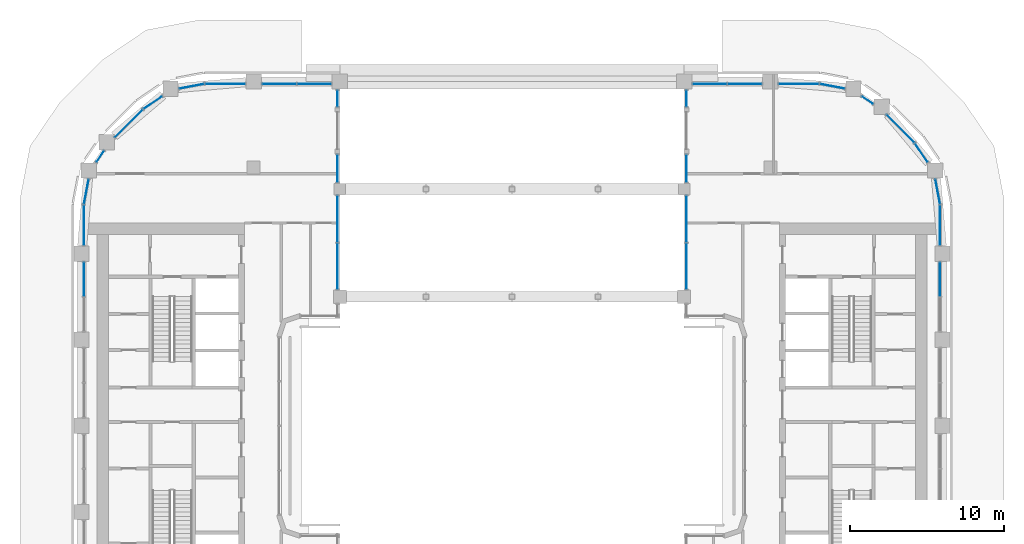
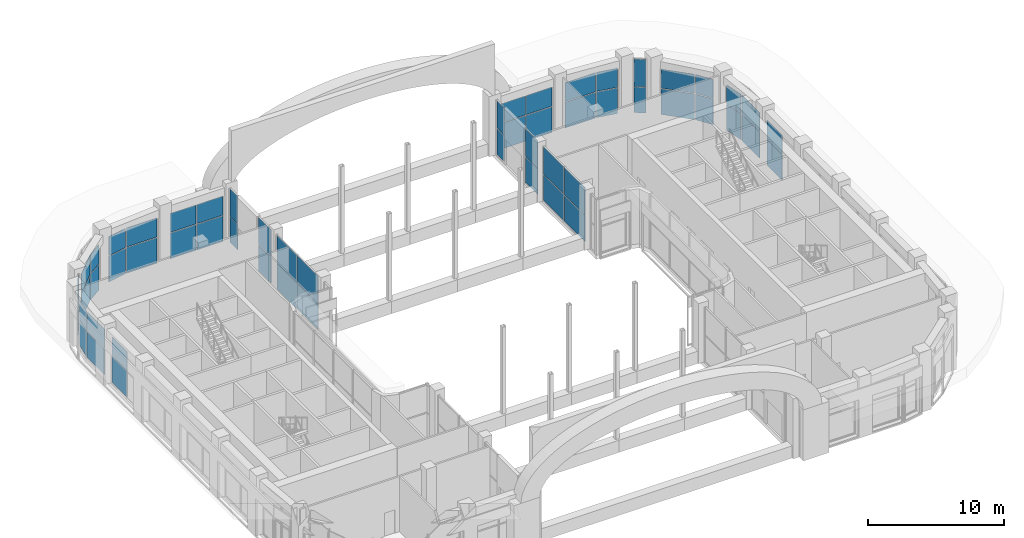
# One storey, part 14 of 28: 56 plates, 24 elements without a shape of their own.
"""IFC4 building model written with IfcOpenShell, lengths in metres."""

from ifc_helpers import new_model, si_unit, direction, frame, origin, origin_2d, place, context, subcontext, project, spatial, rectangle, extrude, material, layer, layer_set, type_object, element, aggregate, save


model = new_model("IFC4")

# Units and contexts
model_context = context("Model", 3, precision=1e-05, world=origin(), true_north=direction((0.0, 1.0)))
body_context = subcontext(model_context, "Body", "Model", "MODEL_VIEW")
ifc_project = project(units=[si_unit("LENGTHUNIT", "METRE"), si_unit("AREAUNIT", "SQUARE_METRE"), si_unit("VOLUMEUNIT", "CUBIC_METRE"), si_unit("PLANEANGLEUNIT", "RADIAN"), si_unit("MASSUNIT", "GRAM", prefix="KILO")], contexts=[model_context])

# Site, building, storey
site_placement = place(None, origin())
site = spatial("IfcSite", under=ifc_project, at=site_placement, CompositionType="ELEMENT")
building_placement = place(site_placement, origin())
building = spatial("IfcBuilding", under=site, at=building_placement, Name="Kiln Ring Residences", CompositionType="ELEMENT")
storey_placement = place(building_placement, frame((0.0, 0.0, 178.10009765625)))
storey = spatial("IfcBuildingStorey", under=building, at=storey_placement, Name="L46", CompositionType="ELEMENT", Elevation=178.10009765625)

# Curtain wall, plates
ifc_material_1 = material(Name="Aluminium and glass", Category="aluminium")
ifc_layer_1 = layer(ifc_material_1, 0.199951171875)
ifc_layer_set_1 = layer_set([ifc_layer_1], Name="CW1 CURTAIN WALL")
curtain_wall_type = type_object("IfcCurtainWallType", Name="CW1 CURTAIN WALL", PredefinedType="NOTDEFINED", material=ifc_layer_set_1)
placement = place(storey_placement, origin())
curtain_wall_1 = element("IfcCurtainWall", 1, at=placement, inside=storey, type_object=curtain_wall_type, Name="Curtain wall CW1 L46", PredefinedType="NOTDEFINED")
ifc_material_2 = material(Name="Glass, low-e laminated", Category="glass")
ifc_layer_2 = layer(ifc_material_2, 0.028076171875)
ifc_layer_set_2 = layer_set([ifc_layer_2], Name="CW1 PANEL 28")
plate_type = type_object("IfcPlateType", Name="CW1 PANEL 28", PredefinedType="CURTAIN_PANEL", material=ifc_layer_set_2)
plate_1_placement = place(storey_placement, frame((-11.35009765625, 10.389892578125, 0.059814453125), z_axis=(0.0, 0.0, 1.0), x_axis=(0.0, 1.0, 0.0)))
plate_1 = element("IfcPlate", 2, at=plate_1_placement, type_object=plate_type, Name="CW1 panel 1.1", PredefinedType="CURTAIN_PANEL", context=body_context, shape_type="SweptSolid", body=[
    extrude(rectangle(XDim=3.010009765625, YDim=0.028076171875, at=origin_2d()), origin(), (0.0, 0.0, 1.0), 2.31005859375),
])
plate_2_placement = place(storey_placement, frame((-11.35009765625, 10.389892578125, 2.429931640625), z_axis=(0.0, 0.0, 1.0), x_axis=(0.0, 1.0, 0.0)))
plate_2 = element("IfcPlate", 3, at=plate_2_placement, type_object=plate_type, Name="CW1 panel 1.2", PredefinedType="CURTAIN_PANEL", context=body_context, shape_type="SweptSolid", body=[
    extrude(rectangle(XDim=3.010009765625, YDim=0.028076171875, at=origin_2d()), origin(), (0.0, 0.0, 1.0), 2.4599609375),
])
plate_3_placement = place(storey_placement, frame((-11.35009765625, 13.4599609375, 0.059814453125), z_axis=(0.0, 0.0, 1.0), x_axis=(0.0, 1.0, 0.0)))
plate_3 = element("IfcPlate", 4, at=plate_3_placement, type_object=plate_type, Name="CW1 panel 2.1", PredefinedType="CURTAIN_PANEL", context=body_context, shape_type="SweptSolid", body=[
    extrude(rectangle(XDim=3.010009765625, YDim=0.028076171875, at=origin_2d()), origin(), (0.0, 0.0, 1.0), 2.31005859375),
])
plate_4_placement = place(storey_placement, frame((-11.35009765625, 13.4599609375, 2.429931640625), z_axis=(0.0, 0.0, 1.0), x_axis=(0.0, 1.0, 0.0)))
plate_4 = element("IfcPlate", 5, at=plate_4_placement, type_object=plate_type, Name="CW1 panel 2.2", PredefinedType="CURTAIN_PANEL", context=body_context, shape_type="SweptSolid", body=[
    extrude(rectangle(XDim=3.010009765625, YDim=0.028076171875, at=origin_2d()), origin(), (0.0, 0.0, 1.0), 2.4599609375),
])
aggregate(curtain_wall_1, [plate_1, plate_2, plate_3, plate_4])

curtain_wall_2 = element("IfcCurtainWall", 6, at=placement, inside=storey, type_object=curtain_wall_type, Name="Curtain wall CW1 L46", PredefinedType="NOTDEFINED")
plate_5_placement = place(storey_placement, frame((-11.35009765625, 16.737548828125, 0.059814453125), z_axis=(0.0, 0.0, 1.0), x_axis=(0.0, 1.0, 0.0)))
plate_5 = element("IfcPlate", 7, at=plate_5_placement, type_object=plate_type, Name="CW1 panel 1.1", PredefinedType="CURTAIN_PANEL", context=body_context, shape_type="SweptSolid", body=[
    extrude(rectangle(XDim=1.804931640625, YDim=0.028076171875, at=origin_2d()), origin(), (0.0, 0.0, 1.0), 2.31005859375),
])
plate_6_placement = place(storey_placement, frame((-11.35009765625, 16.737548828125, 2.429931640625), z_axis=(0.0, 0.0, 1.0), x_axis=(0.0, 1.0, 0.0)))
plate_6 = element("IfcPlate", 8, at=plate_6_placement, type_object=plate_type, Name="CW1 panel 1.2", PredefinedType="CURTAIN_PANEL", context=body_context, shape_type="SweptSolid", body=[
    extrude(rectangle(XDim=1.804931640625, YDim=0.028076171875, at=origin_2d()), origin(), (0.0, 0.0, 1.0), 2.4599609375),
])
aggregate(curtain_wall_2, [plate_5, plate_6])

curtain_wall_3 = element("IfcCurtainWall", 9, at=placement, inside=storey, type_object=curtain_wall_type, Name="Curtain wall CW1 L46", PredefinedType="NOTDEFINED")
plate_7_placement = place(storey_placement, frame((-11.35009765625, 21.300048828125, 0.059814453125), z_axis=(0.0, 0.0, 1.0), x_axis=(0.0, 1.0, 0.0)))
plate_7 = element("IfcPlate", 10, at=plate_7_placement, type_object=plate_type, Name="CW1 panel 1.1", PredefinedType="CURTAIN_PANEL", context=body_context, shape_type="SweptSolid", body=[
    extrude(rectangle(XDim=1.080078125, YDim=0.028076171875, at=origin_2d()), origin(), (0.0, 0.0, 1.0), 2.31005859375),
])
plate_8_placement = place(storey_placement, frame((-11.35009765625, 21.300048828125, 2.429931640625), z_axis=(0.0, 0.0, 1.0), x_axis=(0.0, 1.0, 0.0)))
plate_8 = element("IfcPlate", 11, at=plate_8_placement, type_object=plate_type, Name="CW1 panel 1.2", PredefinedType="CURTAIN_PANEL", context=body_context, shape_type="SweptSolid", body=[
    extrude(rectangle(XDim=1.080078125, YDim=0.028076171875, at=origin_2d()), origin(), (0.0, 0.0, 1.0), 2.4599609375),
])
aggregate(curtain_wall_3, [plate_7, plate_8])

curtain_wall_4 = element("IfcCurtainWall", 12, at=placement, inside=storey, type_object=curtain_wall_type, Name="Curtain wall CW1 L46", PredefinedType="NOTDEFINED")
plate_9_placement = place(storey_placement, frame((-12.864990234375, 22.25, 0.059814453125), z_axis=(0.0, 0.0, 1.0), x_axis=(-1.0, 0.0, 0.0)))
plate_9 = element("IfcPlate", 13, at=plate_9_placement, type_object=plate_type, Name="CW1 panel 1.1", PredefinedType="CURTAIN_PANEL", context=body_context, shape_type="SweptSolid", body=[
    extrude(rectangle(XDim=2.2099609375, YDim=0.028076171875, at=origin_2d()), origin(), (0.0, 0.0, 1.0), 2.31005859375),
])
plate_10_placement = place(storey_placement, frame((-12.864990234375, 22.25, 2.429931640625), z_axis=(0.0, 0.0, 1.0), x_axis=(-1.0, 0.0, 0.0)))
plate_10 = element("IfcPlate", 14, at=plate_10_placement, type_object=plate_type, Name="CW1 panel 1.2", PredefinedType="CURTAIN_PANEL", context=body_context, shape_type="SweptSolid", body=[
    extrude(rectangle(XDim=2.2099609375, YDim=0.028076171875, at=origin_2d()), origin(), (0.0, 0.0, 1.0), 1.7099609375),
])
plate_11_placement = place(storey_placement, frame((-15.135009765625, 22.25, 0.059814453125), z_axis=(0.0, 0.0, 1.0), x_axis=(-1.0, 0.0, 0.0)))
plate_11 = element("IfcPlate", 15, at=plate_11_placement, type_object=plate_type, Name="CW1 panel 2.1", PredefinedType="CURTAIN_PANEL", context=body_context, shape_type="SweptSolid", body=[
    extrude(rectangle(XDim=2.2099609375, YDim=0.028076171875, at=origin_2d()), origin(), (0.0, 0.0, 1.0), 2.31005859375),
])
plate_12_placement = place(storey_placement, frame((-15.135009765625, 22.25, 2.429931640625), z_axis=(0.0, 0.0, 1.0), x_axis=(-1.0, 0.0, 0.0)))
plate_12 = element("IfcPlate", 16, at=plate_12_placement, type_object=plate_type, Name="CW1 panel 2.2", PredefinedType="CURTAIN_PANEL", context=body_context, shape_type="SweptSolid", body=[
    extrude(rectangle(XDim=2.2099609375, YDim=0.028076171875, at=origin_2d()), origin(), (0.0, 0.0, 1.0), 1.7099609375),
])
aggregate(curtain_wall_4, [plate_9, plate_10, plate_11, plate_12])

curtain_wall_5 = element("IfcCurtainWall", 17, at=placement, inside=storey, type_object=curtain_wall_type, Name="Curtain wall CW1 L46", PredefinedType="NOTDEFINED")
plate_13_placement = place(storey_placement, frame((-18.64990234375, 22.25, 0.059814453125), z_axis=(0.0, 0.0, 1.0), x_axis=(-1.0, 0.0, 0.0)))
plate_13 = element("IfcPlate", 18, at=plate_13_placement, type_object=plate_type, Name="CW1 panel 1.1", PredefinedType="CURTAIN_PANEL", context=body_context, shape_type="SweptSolid", body=[
    extrude(rectangle(XDim=2.580078125, YDim=0.028076171875, at=origin_2d()), origin(), (0.0, 0.0, 1.0), 2.31005859375),
])
plate_14_placement = place(storey_placement, frame((-18.64990234375, 22.25, 2.429931640625), z_axis=(0.0, 0.0, 1.0), x_axis=(-1.0, 0.0, 0.0)))
plate_14 = element("IfcPlate", 19, at=plate_14_placement, type_object=plate_type, Name="CW1 panel 1.2", PredefinedType="CURTAIN_PANEL", context=body_context, shape_type="SweptSolid", body=[
    extrude(rectangle(XDim=2.580078125, YDim=0.028076171875, at=origin_2d()), origin(), (0.0, 0.0, 1.0), 1.7099609375),
])
aggregate(curtain_wall_5, [plate_13, plate_14])

curtain_wall_6 = element("IfcCurtainWall", 20, at=placement, inside=storey, type_object=curtain_wall_type, Name="Curtain wall CW1 L46", PredefinedType="NOTDEFINED")
plate_15_placement = place(storey_placement, frame((-20.83447265625, 22.088134765625, 0.059814453125), z_axis=(0.0, 0.0, 1.0), x_axis=(-0.98229025781, -0.187365550227, 0.0)))
plate_15 = element("IfcPlate", 21, at=plate_15_placement, type_object=plate_type, Name="CW1 panel 1.1", PredefinedType="CURTAIN_PANEL", context=body_context, shape_type="SweptSolid", body=[
    extrude(rectangle(XDim=1.63623046875, YDim=0.028076171875, at=origin_2d()), origin(), (0.0, 0.0, 1.0), 2.31005859375),
])
plate_16_placement = place(storey_placement, frame((-20.83447265625, 22.088134765625, 2.429931640625), z_axis=(0.0, 0.0, 1.0), x_axis=(-0.98229025781, -0.187365550227, 0.0)))
plate_16 = element("IfcPlate", 22, at=plate_16_placement, type_object=plate_type, Name="CW1 panel 1.2", PredefinedType="CURTAIN_PANEL", context=body_context, shape_type="SweptSolid", body=[
    extrude(rectangle(XDim=1.63623046875, YDim=0.028076171875, at=origin_2d()), origin(), (0.0, 0.0, 1.0), 1.7099609375),
])
aggregate(curtain_wall_6, [plate_15, plate_16])

curtain_wall_7 = element("IfcCurtainWall", 23, at=placement, inside=storey, type_object=curtain_wall_type, Name="Curtain wall CW1 L46", PredefinedType="NOTDEFINED")
plate_17_placement = place(storey_placement, frame((-23.36083984375, 21.02197265625, 0.059814453125), z_axis=(0.0, 0.0, 1.0), x_axis=(-0.827071553399, -0.562096651438, 0.0)))
plate_17 = element("IfcPlate", 24, at=plate_17_placement, type_object=plate_type, Name="CW1 panel 1.1", PredefinedType="CURTAIN_PANEL", context=body_context, shape_type="SweptSolid", body=[
    extrude(rectangle(XDim=1.456787109375, YDim=0.028076171875, at=origin_2d()), origin(), (0.0, 0.0, 1.0), 2.31005859375),
])
plate_18_placement = place(storey_placement, frame((-23.36083984375, 21.02197265625, 2.429931640625), z_axis=(0.0, 0.0, 1.0), x_axis=(-0.827071553399, -0.562096651438, 0.0)))
plate_18 = element("IfcPlate", 25, at=plate_18_placement, type_object=plate_type, Name="CW1 panel 1.2", PredefinedType="CURTAIN_PANEL", context=body_context, shape_type="SweptSolid", body=[
    extrude(rectangle(XDim=1.456787109375, YDim=0.028076171875, at=origin_2d()), origin(), (0.0, 0.0, 1.0), 1.7099609375),
])
aggregate(curtain_wall_7, [plate_17, plate_18])

curtain_wall_8 = element("IfcCurtainWall", 26, at=placement, inside=storey, type_object=curtain_wall_type, Name="Curtain wall CW1 L46", PredefinedType="NOTDEFINED")
plate_19_placement = place(storey_placement, frame((-24.92529296875, 19.662353515625, 0.059814453125), z_axis=(0.0, 0.0, 1.0), x_axis=(-0.707106781187, -0.707106781187, 0.0)))
plate_19 = element("IfcPlate", 27, at=plate_19_placement, type_object=plate_type, Name="CW1 panel 1.1", PredefinedType="CURTAIN_PANEL", context=body_context, shape_type="SweptSolid", body=[
    extrude(rectangle(XDim=2.52294921875, YDim=0.028076171875, at=origin_2d()), origin(), (0.0, 0.0, 1.0), 2.31005859375),
])
plate_20_placement = place(storey_placement, frame((-24.92529296875, 19.662353515625, 2.429931640625), z_axis=(0.0, 0.0, 1.0), x_axis=(-0.707106781187, -0.707106781187, 0.0)))
plate_20 = element("IfcPlate", 28, at=plate_20_placement, type_object=plate_type, Name="CW1 panel 1.2", PredefinedType="CURTAIN_PANEL", context=body_context, shape_type="SweptSolid", body=[
    extrude(rectangle(XDim=2.52294921875, YDim=0.028076171875, at=origin_2d()), origin(), (0.0, 0.0, 1.0), 1.7099609375),
])
aggregate(curtain_wall_8, [plate_19, plate_20])

curtain_wall_9 = element("IfcCurtainWall", 29, at=placement, inside=storey, type_object=curtain_wall_type, Name="Curtain wall CW1 L46", PredefinedType="NOTDEFINED")
plate_21_placement = place(storey_placement, frame((-26.78466796875, 17.521240234375, 0.059814453125), z_axis=(0.0, 0.0, 1.0), x_axis=(-0.562096651423, -0.827071553409, 0.0)))
plate_21 = element("IfcPlate", 30, at=plate_21_placement, type_object=plate_type, Name="CW1 panel 1.1", PredefinedType="CURTAIN_PANEL", context=body_context, shape_type="SweptSolid", body=[
    extrude(rectangle(XDim=0.877685546875, YDim=0.028076171875, at=origin_2d()), origin(), (0.0, 0.0, 1.0), 2.31005859375),
])
plate_22_placement = place(storey_placement, frame((-26.78466796875, 17.521240234375, 2.429931640625), z_axis=(0.0, 0.0, 1.0), x_axis=(-0.562096651423, -0.827071553409, 0.0)))
plate_22 = element("IfcPlate", 31, at=plate_22_placement, type_object=plate_type, Name="CW1 panel 1.2", PredefinedType="CURTAIN_PANEL", context=body_context, shape_type="SweptSolid", body=[
    extrude(rectangle(XDim=0.877685546875, YDim=0.028076171875, at=origin_2d()), origin(), (0.0, 0.0, 1.0), 2.4599609375),
])
aggregate(curtain_wall_9, [plate_21, plate_22])

curtain_wall_10 = element("IfcCurtainWall", 32, at=placement, inside=storey, type_object=curtain_wall_type, Name="Curtain wall CW1 L46", PredefinedType="NOTDEFINED")
plate_23_placement = place(storey_placement, frame((-27.688232421875, 15.234375, 0.059814453125), z_axis=(0.0, 0.0, 1.0), x_axis=(-0.187365550227, -0.98229025781, 0.0)))
plate_23 = element("IfcPlate", 33, at=plate_23_placement, type_object=plate_type, Name="CW1 panel 1.1", PredefinedType="CURTAIN_PANEL", context=body_context, shape_type="SweptSolid", body=[
    extrude(rectangle(XDim=1.63623046875, YDim=0.028076171875, at=origin_2d()), origin(), (0.0, 0.0, 1.0), 2.31005859375),
])
plate_24_placement = place(storey_placement, frame((-27.688232421875, 15.234375, 2.429931640625), z_axis=(0.0, 0.0, 1.0), x_axis=(-0.187365550227, -0.98229025781, 0.0)))
plate_24 = element("IfcPlate", 34, at=plate_24_placement, type_object=plate_type, Name="CW1 panel 1.2", PredefinedType="CURTAIN_PANEL", context=body_context, shape_type="SweptSolid", body=[
    extrude(rectangle(XDim=1.63623046875, YDim=0.028076171875, at=origin_2d()), origin(), (0.0, 0.0, 1.0), 1.7099609375),
])
aggregate(curtain_wall_10, [plate_23, plate_24])

curtain_wall_11 = element("IfcCurtainWall", 35, at=placement, inside=storey, type_object=curtain_wall_type, Name="Curtain wall CW1 L46", PredefinedType="NOTDEFINED")
plate_25_placement = place(storey_placement, frame((-27.85009765625, 13.050048828125, 0.059814453125), z_axis=(0.0, 0.0, 1.0), x_axis=(0.0, -1.0, 0.0)))
plate_25 = element("IfcPlate", 36, at=plate_25_placement, type_object=plate_type, Name="CW1 panel 1.1", PredefinedType="CURTAIN_PANEL", context=body_context, shape_type="SweptSolid", body=[
    extrude(rectangle(XDim=2.580078125, YDim=0.028076171875, at=origin_2d()), origin(), (0.0, 0.0, 1.0), 2.31005859375),
])
plate_26_placement = place(storey_placement, frame((-27.85009765625, 13.050048828125, 2.429931640625), z_axis=(0.0, 0.0, 1.0), x_axis=(0.0, -1.0, 0.0)))
plate_26 = element("IfcPlate", 37, at=plate_26_placement, type_object=plate_type, Name="CW1 panel 1.2", PredefinedType="CURTAIN_PANEL", context=body_context, shape_type="SweptSolid", body=[
    extrude(rectangle(XDim=2.580078125, YDim=0.028076171875, at=origin_2d()), origin(), (0.0, 0.0, 1.0), 1.7099609375),
])
aggregate(curtain_wall_11, [plate_25, plate_26])

curtain_wall_12 = element("IfcCurtainWall", 38, at=placement, inside=storey, type_object=curtain_wall_type, Name="Curtain wall CW1 L46", PredefinedType="NOTDEFINED")
plate_27_placement = place(storey_placement, frame((-27.85009765625, 9.534912109375, 0.059814453125), z_axis=(0.0, 0.0, 1.0), x_axis=(0.0, -1.0, 0.0)))
plate_27 = element("IfcPlate", 39, at=plate_27_placement, type_object=plate_type, Name="CW1 panel 1.1", PredefinedType="CURTAIN_PANEL", context=body_context, shape_type="SweptSolid", body=[
    extrude(rectangle(XDim=2.2099609375, YDim=0.028076171875, at=origin_2d()), origin(), (0.0, 0.0, 1.0), 2.31005859375),
])
plate_28_placement = place(storey_placement, frame((-27.85009765625, 9.534912109375, 2.429931640625), z_axis=(0.0, 0.0, 1.0), x_axis=(0.0, -1.0, 0.0)))
plate_28 = element("IfcPlate", 40, at=plate_28_placement, type_object=plate_type, Name="CW1 panel 1.2", PredefinedType="CURTAIN_PANEL", context=body_context, shape_type="SweptSolid", body=[
    extrude(rectangle(XDim=2.2099609375, YDim=0.028076171875, at=origin_2d()), origin(), (0.0, 0.0, 1.0), 1.7099609375),
])
aggregate(curtain_wall_12, [plate_27, plate_28])

curtain_wall_13 = element("IfcCurtainWall", 41, at=placement, inside=storey, type_object=curtain_wall_type, Name="Curtain wall CW1 L46", PredefinedType="NOTDEFINED")
plate_29_placement = place(storey_placement, frame((27.85009765625, 9.534912109375, 0.059814453125), z_axis=(0.0, 0.0, 1.0), x_axis=(0.0, 1.0, 0.0)))
plate_29 = element("IfcPlate", 42, at=plate_29_placement, type_object=plate_type, Name="CW1 panel 2.1", PredefinedType="CURTAIN_PANEL", context=body_context, shape_type="SweptSolid", body=[
    extrude(rectangle(XDim=2.2099609375, YDim=0.028076171875, at=origin_2d()), origin(), (0.0, 0.0, 1.0), 2.31005859375),
])
plate_30_placement = place(storey_placement, frame((27.85009765625, 9.534912109375, 2.429931640625), z_axis=(0.0, 0.0, 1.0), x_axis=(0.0, 1.0, 0.0)))
plate_30 = element("IfcPlate", 43, at=plate_30_placement, type_object=plate_type, Name="CW1 panel 2.2", PredefinedType="CURTAIN_PANEL", context=body_context, shape_type="SweptSolid", body=[
    extrude(rectangle(XDim=2.2099609375, YDim=0.028076171875, at=origin_2d()), origin(), (0.0, 0.0, 1.0), 1.7099609375),
])
aggregate(curtain_wall_13, [plate_29, plate_30])

curtain_wall_14 = element("IfcCurtainWall", 44, at=placement, inside=storey, type_object=curtain_wall_type, Name="Curtain wall CW1 L46", PredefinedType="NOTDEFINED")
plate_31_placement = place(storey_placement, frame((27.85009765625, 13.050048828125, 0.059814453125), z_axis=(0.0, 0.0, 1.0), x_axis=(0.0, 1.0, 0.0)))
plate_31 = element("IfcPlate", 45, at=plate_31_placement, type_object=plate_type, Name="CW1 panel 1.1", PredefinedType="CURTAIN_PANEL", context=body_context, shape_type="SweptSolid", body=[
    extrude(rectangle(XDim=2.580078125, YDim=0.028076171875, at=origin_2d()), origin(), (0.0, 0.0, 1.0), 2.31005859375),
])
plate_32_placement = place(storey_placement, frame((27.85009765625, 13.050048828125, 2.429931640625), z_axis=(0.0, 0.0, 1.0), x_axis=(0.0, 1.0, 0.0)))
plate_32 = element("IfcPlate", 46, at=plate_32_placement, type_object=plate_type, Name="CW1 panel 1.2", PredefinedType="CURTAIN_PANEL", context=body_context, shape_type="SweptSolid", body=[
    extrude(rectangle(XDim=2.580078125, YDim=0.028076171875, at=origin_2d()), origin(), (0.0, 0.0, 1.0), 1.7099609375),
])
aggregate(curtain_wall_14, [plate_31, plate_32])

curtain_wall_15 = element("IfcCurtainWall", 47, at=placement, inside=storey, type_object=curtain_wall_type, Name="Curtain wall CW1 L46", PredefinedType="NOTDEFINED")
plate_33_placement = place(storey_placement, frame((27.688232421875, 15.234375, 0.059814453125), z_axis=(0.0, 0.0, 1.0), x_axis=(-0.187365550227, 0.98229025781, 0.0)))
plate_33 = element("IfcPlate", 48, at=plate_33_placement, type_object=plate_type, Name="CW1 panel 1.1", PredefinedType="CURTAIN_PANEL", context=body_context, shape_type="SweptSolid", body=[
    extrude(rectangle(XDim=1.63623046875, YDim=0.028076171875, at=origin_2d()), origin(), (0.0, 0.0, 1.0), 2.31005859375),
])
plate_34_placement = place(storey_placement, frame((27.688232421875, 15.234375, 2.429931640625), z_axis=(0.0, 0.0, 1.0), x_axis=(-0.187365550227, 0.98229025781, 0.0)))
plate_34 = element("IfcPlate", 49, at=plate_34_placement, type_object=plate_type, Name="CW1 panel 1.2", PredefinedType="CURTAIN_PANEL", context=body_context, shape_type="SweptSolid", body=[
    extrude(rectangle(XDim=1.63623046875, YDim=0.028076171875, at=origin_2d()), origin(), (0.0, 0.0, 1.0), 1.7099609375),
])
aggregate(curtain_wall_15, [plate_33, plate_34])

curtain_wall_16 = element("IfcCurtainWall", 50, at=placement, inside=storey, type_object=curtain_wall_type, Name="Curtain wall CW1 L46", PredefinedType="NOTDEFINED")
plate_35_placement = place(storey_placement, frame((26.6220703125, 17.7607421875, 0.059814453125), z_axis=(0.0, 0.0, 1.0), x_axis=(-0.562096651438, 0.827071553399, 0.0)))
plate_35 = element("IfcPlate", 51, at=plate_35_placement, type_object=plate_type, Name="CW1 panel 1.1", PredefinedType="CURTAIN_PANEL", context=body_context, shape_type="SweptSolid", body=[
    extrude(rectangle(XDim=1.456787109375, YDim=0.028076171875, at=origin_2d()), origin(), (0.0, 0.0, 1.0), 2.31005859375),
])
plate_36_placement = place(storey_placement, frame((26.6220703125, 17.7607421875, 2.429931640625), z_axis=(0.0, 0.0, 1.0), x_axis=(-0.562096651438, 0.827071553399, 0.0)))
plate_36 = element("IfcPlate", 52, at=plate_36_placement, type_object=plate_type, Name="CW1 panel 1.2", PredefinedType="CURTAIN_PANEL", context=body_context, shape_type="SweptSolid", body=[
    extrude(rectangle(XDim=1.456787109375, YDim=0.028076171875, at=origin_2d()), origin(), (0.0, 0.0, 1.0), 1.7099609375),
])
aggregate(curtain_wall_16, [plate_35, plate_36])

curtain_wall_17 = element("IfcCurtainWall", 53, at=placement, inside=storey, type_object=curtain_wall_type, Name="Curtain wall CW1 L46", PredefinedType="NOTDEFINED")
plate_37_placement = place(storey_placement, frame((25.262451171875, 19.325439453125, 0.059814453125), z_axis=(0.0, 0.0, 1.0), x_axis=(-0.707106781187, 0.707106781187, 0.0)))
plate_37 = element("IfcPlate", 54, at=plate_37_placement, type_object=plate_type, Name="CW1 panel 1.1", PredefinedType="CURTAIN_PANEL", context=body_context, shape_type="SweptSolid", body=[
    extrude(rectangle(XDim=2.52294921875, YDim=0.028076171875, at=origin_2d()), origin(), (0.0, 0.0, 1.0), 2.31005859375),
])
plate_38_placement = place(storey_placement, frame((25.262451171875, 19.325439453125, 2.429931640625), z_axis=(0.0, 0.0, 1.0), x_axis=(-0.707106781187, 0.707106781187, 0.0)))
plate_38 = element("IfcPlate", 55, at=plate_38_placement, type_object=plate_type, Name="CW1 panel 1.2", PredefinedType="CURTAIN_PANEL", context=body_context, shape_type="SweptSolid", body=[
    extrude(rectangle(XDim=2.52294921875, YDim=0.028076171875, at=origin_2d()), origin(), (0.0, 0.0, 1.0), 1.7099609375),
])
aggregate(curtain_wall_17, [plate_37, plate_38])

curtain_wall_18 = element("IfcCurtainWall", 56, at=placement, inside=storey, type_object=curtain_wall_type, Name="Curtain wall CW1 L46", PredefinedType="NOTDEFINED")
plate_39_placement = place(storey_placement, frame((23.121337890625, 21.184814453125, 0.059814453125), z_axis=(0.0, 0.0, 1.0), x_axis=(-0.827071553409, 0.562096651423, 0.0)))
plate_39 = element("IfcPlate", 57, at=plate_39_placement, type_object=plate_type, Name="CW1 panel 1.1", PredefinedType="CURTAIN_PANEL", context=body_context, shape_type="SweptSolid", body=[
    extrude(rectangle(XDim=0.877685546875, YDim=0.028076171875, at=origin_2d()), origin(), (0.0, 0.0, 1.0), 2.31005859375),
])
plate_40_placement = place(storey_placement, frame((23.121337890625, 21.184814453125, 2.429931640625), z_axis=(0.0, 0.0, 1.0), x_axis=(-0.827071553409, 0.562096651423, 0.0)))
plate_40 = element("IfcPlate", 58, at=plate_40_placement, type_object=plate_type, Name="CW1 panel 1.2", PredefinedType="CURTAIN_PANEL", context=body_context, shape_type="SweptSolid", body=[
    extrude(rectangle(XDim=0.877685546875, YDim=0.028076171875, at=origin_2d()), origin(), (0.0, 0.0, 1.0), 2.4599609375),
])
aggregate(curtain_wall_18, [plate_39, plate_40])

curtain_wall_19 = element("IfcCurtainWall", 59, at=placement, inside=storey, type_object=curtain_wall_type, Name="Curtain wall CW1 L46", PredefinedType="NOTDEFINED")
plate_41_placement = place(storey_placement, frame((20.83447265625, 22.088134765625, 0.059814453125), z_axis=(0.0, 0.0, 1.0), x_axis=(-0.98229025781, 0.187365550227, 0.0)))
plate_41 = element("IfcPlate", 60, at=plate_41_placement, type_object=plate_type, Name="CW1 panel 1.1", PredefinedType="CURTAIN_PANEL", context=body_context, shape_type="SweptSolid", body=[
    extrude(rectangle(XDim=1.63623046875, YDim=0.028076171875, at=origin_2d()), origin(), (0.0, 0.0, 1.0), 2.31005859375),
])
plate_42_placement = place(storey_placement, frame((20.83447265625, 22.088134765625, 2.429931640625), z_axis=(0.0, 0.0, 1.0), x_axis=(-0.98229025781, 0.187365550227, 0.0)))
plate_42 = element("IfcPlate", 61, at=plate_42_placement, type_object=plate_type, Name="CW1 panel 1.2", PredefinedType="CURTAIN_PANEL", context=body_context, shape_type="SweptSolid", body=[
    extrude(rectangle(XDim=1.63623046875, YDim=0.028076171875, at=origin_2d()), origin(), (0.0, 0.0, 1.0), 1.7099609375),
])
aggregate(curtain_wall_19, [plate_41, plate_42])

curtain_wall_20 = element("IfcCurtainWall", 62, at=placement, inside=storey, type_object=curtain_wall_type, Name="Curtain wall CW1 L46", PredefinedType="NOTDEFINED")
plate_43_placement = place(storey_placement, frame((18.64990234375, 22.25, 0.059814453125), z_axis=(0.0, 0.0, 1.0), x_axis=(-1.0, 0.0, 0.0)))
plate_43 = element("IfcPlate", 63, at=plate_43_placement, type_object=plate_type, Name="CW1 panel 1.1", PredefinedType="CURTAIN_PANEL", context=body_context, shape_type="SweptSolid", body=[
    extrude(rectangle(XDim=2.580078125, YDim=0.028076171875, at=origin_2d()), origin(), (0.0, 0.0, 1.0), 2.31005859375),
])
plate_44_placement = place(storey_placement, frame((18.64990234375, 22.25, 2.429931640625), z_axis=(0.0, 0.0, 1.0), x_axis=(-1.0, 0.0, 0.0)))
plate_44 = element("IfcPlate", 64, at=plate_44_placement, type_object=plate_type, Name="CW1 panel 1.2", PredefinedType="CURTAIN_PANEL", context=body_context, shape_type="SweptSolid", body=[
    extrude(rectangle(XDim=2.580078125, YDim=0.028076171875, at=origin_2d()), origin(), (0.0, 0.0, 1.0), 1.7099609375),
])
aggregate(curtain_wall_20, [plate_43, plate_44])

curtain_wall_21 = element("IfcCurtainWall", 65, at=placement, inside=storey, type_object=curtain_wall_type, Name="Curtain wall CW1 L46", PredefinedType="NOTDEFINED")
plate_45_placement = place(storey_placement, frame((15.135009765625, 22.25, 0.059814453125), z_axis=(0.0, 0.0, 1.0), x_axis=(-1.0, 0.0, 0.0)))
plate_45 = element("IfcPlate", 66, at=plate_45_placement, type_object=plate_type, Name="CW1 panel 1.1", PredefinedType="CURTAIN_PANEL", context=body_context, shape_type="SweptSolid", body=[
    extrude(rectangle(XDim=2.2099609375, YDim=0.028076171875, at=origin_2d()), origin(), (0.0, 0.0, 1.0), 2.31005859375),
])
plate_46_placement = place(storey_placement, frame((15.135009765625, 22.25, 2.429931640625), z_axis=(0.0, 0.0, 1.0), x_axis=(-1.0, 0.0, 0.0)))
plate_46 = element("IfcPlate", 67, at=plate_46_placement, type_object=plate_type, Name="CW1 panel 1.2", PredefinedType="CURTAIN_PANEL", context=body_context, shape_type="SweptSolid", body=[
    extrude(rectangle(XDim=2.2099609375, YDim=0.028076171875, at=origin_2d()), origin(), (0.0, 0.0, 1.0), 1.7099609375),
])
plate_47_placement = place(storey_placement, frame((12.864990234375, 22.25, 0.059814453125), z_axis=(0.0, 0.0, 1.0), x_axis=(-1.0, 0.0, 0.0)))
plate_47 = element("IfcPlate", 68, at=plate_47_placement, type_object=plate_type, Name="CW1 panel 2.1", PredefinedType="CURTAIN_PANEL", context=body_context, shape_type="SweptSolid", body=[
    extrude(rectangle(XDim=2.2099609375, YDim=0.028076171875, at=origin_2d()), origin(), (0.0, 0.0, 1.0), 2.31005859375),
])
plate_48_placement = place(storey_placement, frame((12.864990234375, 22.25, 2.429931640625), z_axis=(0.0, 0.0, 1.0), x_axis=(-1.0, 0.0, 0.0)))
plate_48 = element("IfcPlate", 69, at=plate_48_placement, type_object=plate_type, Name="CW1 panel 2.2", PredefinedType="CURTAIN_PANEL", context=body_context, shape_type="SweptSolid", body=[
    extrude(rectangle(XDim=2.2099609375, YDim=0.028076171875, at=origin_2d()), origin(), (0.0, 0.0, 1.0), 1.7099609375),
])
aggregate(curtain_wall_21, [plate_45, plate_46, plate_47, plate_48])

curtain_wall_22 = element("IfcCurtainWall", 70, at=placement, inside=storey, type_object=curtain_wall_type, Name="Curtain wall CW1 L46", PredefinedType="NOTDEFINED")
plate_49_placement = place(storey_placement, frame((11.35009765625, 21.300048828125, 0.059814453125), z_axis=(0.0, 0.0, 1.0), x_axis=(0.0, -1.0, 0.0)))
plate_49 = element("IfcPlate", 71, at=plate_49_placement, type_object=plate_type, Name="CW1 panel 1.1", PredefinedType="CURTAIN_PANEL", context=body_context, shape_type="SweptSolid", body=[
    extrude(rectangle(XDim=1.080078125, YDim=0.028076171875, at=origin_2d()), origin(), (0.0, 0.0, 1.0), 2.31005859375),
])
plate_50_placement = place(storey_placement, frame((11.35009765625, 21.300048828125, 2.429931640625), z_axis=(0.0, 0.0, 1.0), x_axis=(0.0, -1.0, 0.0)))
plate_50 = element("IfcPlate", 72, at=plate_50_placement, type_object=plate_type, Name="CW1 panel 1.2", PredefinedType="CURTAIN_PANEL", context=body_context, shape_type="SweptSolid", body=[
    extrude(rectangle(XDim=1.080078125, YDim=0.028076171875, at=origin_2d()), origin(), (0.0, 0.0, 1.0), 2.4599609375),
])
aggregate(curtain_wall_22, [plate_49, plate_50])

curtain_wall_23 = element("IfcCurtainWall", 73, at=placement, inside=storey, type_object=curtain_wall_type, Name="Curtain wall CW1 L46", PredefinedType="NOTDEFINED")
plate_51_placement = place(storey_placement, frame((11.35009765625, 16.737548828125, 0.059814453125), z_axis=(0.0, 0.0, 1.0), x_axis=(0.0, -1.0, 0.0)))
plate_51 = element("IfcPlate", 74, at=plate_51_placement, type_object=plate_type, Name="CW1 panel 1.1", PredefinedType="CURTAIN_PANEL", context=body_context, shape_type="SweptSolid", body=[
    extrude(rectangle(XDim=1.804931640625, YDim=0.028076171875, at=origin_2d()), origin(), (0.0, 0.0, 1.0), 2.31005859375),
])
plate_52_placement = place(storey_placement, frame((11.35009765625, 16.737548828125, 2.429931640625), z_axis=(0.0, 0.0, 1.0), x_axis=(0.0, -1.0, 0.0)))
plate_52 = element("IfcPlate", 75, at=plate_52_placement, type_object=plate_type, Name="CW1 panel 1.2", PredefinedType="CURTAIN_PANEL", context=body_context, shape_type="SweptSolid", body=[
    extrude(rectangle(XDim=1.804931640625, YDim=0.028076171875, at=origin_2d()), origin(), (0.0, 0.0, 1.0), 2.4599609375),
])
aggregate(curtain_wall_23, [plate_51, plate_52])

curtain_wall_24 = element("IfcCurtainWall", 76, at=placement, inside=storey, type_object=curtain_wall_type, Name="Curtain wall CW1 L46", PredefinedType="NOTDEFINED")
plate_53_placement = place(storey_placement, frame((11.35009765625, 13.4599609375, 0.059814453125), z_axis=(0.0, 0.0, 1.0), x_axis=(0.0, -1.0, 0.0)))
plate_53 = element("IfcPlate", 77, at=plate_53_placement, type_object=plate_type, Name="CW1 panel 1.1", PredefinedType="CURTAIN_PANEL", context=body_context, shape_type="SweptSolid", body=[
    extrude(rectangle(XDim=3.010009765625, YDim=0.028076171875, at=origin_2d()), origin(), (0.0, 0.0, 1.0), 2.31005859375),
])
plate_54_placement = place(storey_placement, frame((11.35009765625, 13.4599609375, 2.429931640625), z_axis=(0.0, 0.0, 1.0), x_axis=(0.0, -1.0, 0.0)))
plate_54 = element("IfcPlate", 78, at=plate_54_placement, type_object=plate_type, Name="CW1 panel 1.2", PredefinedType="CURTAIN_PANEL", context=body_context, shape_type="SweptSolid", body=[
    extrude(rectangle(XDim=3.010009765625, YDim=0.028076171875, at=origin_2d()), origin(), (0.0, 0.0, 1.0), 2.4599609375),
])
plate_55_placement = place(storey_placement, frame((11.35009765625, 10.389892578125, 0.059814453125), z_axis=(0.0, 0.0, 1.0), x_axis=(0.0, -1.0, 0.0)))
plate_55 = element("IfcPlate", 79, at=plate_55_placement, type_object=plate_type, Name="CW1 panel 2.1", PredefinedType="CURTAIN_PANEL", context=body_context, shape_type="SweptSolid", body=[
    extrude(rectangle(XDim=3.010009765625, YDim=0.028076171875, at=origin_2d()), origin(), (0.0, 0.0, 1.0), 2.31005859375),
])
plate_56_placement = place(storey_placement, frame((11.35009765625, 10.389892578125, 2.429931640625), z_axis=(0.0, 0.0, 1.0), x_axis=(0.0, -1.0, 0.0)))
plate_56 = element("IfcPlate", 80, at=plate_56_placement, type_object=plate_type, Name="CW1 panel 2.2", PredefinedType="CURTAIN_PANEL", context=body_context, shape_type="SweptSolid", body=[
    extrude(rectangle(XDim=3.010009765625, YDim=0.028076171875, at=origin_2d()), origin(), (0.0, 0.0, 1.0), 2.4599609375),
])
aggregate(curtain_wall_24, [plate_53, plate_54, plate_55, plate_56])

save(model, "model.ifc")
